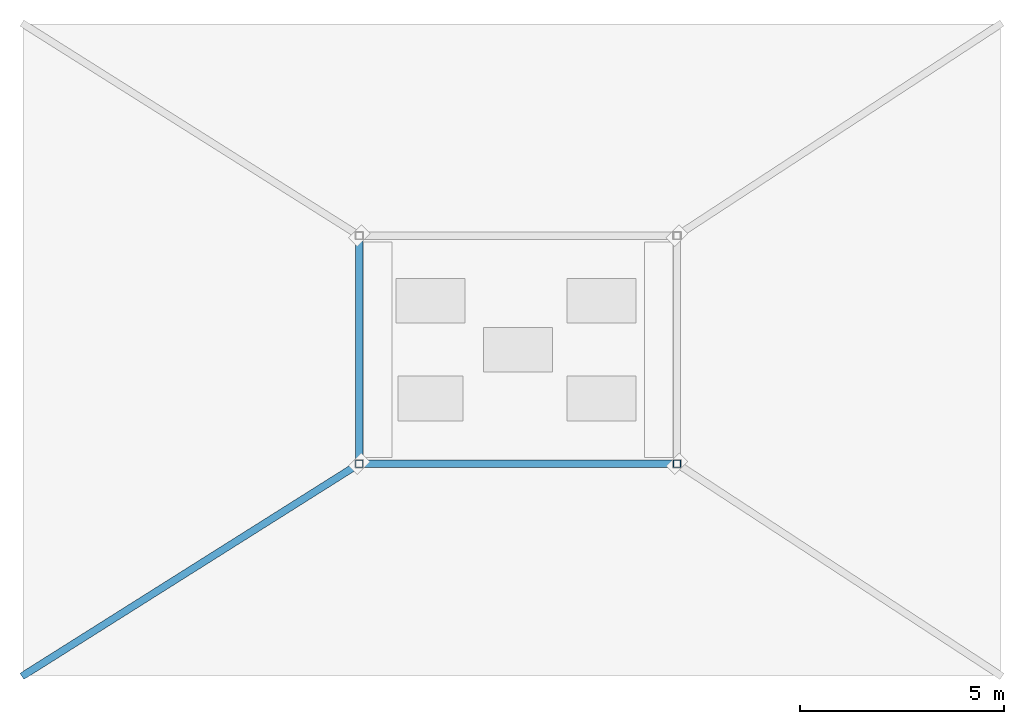
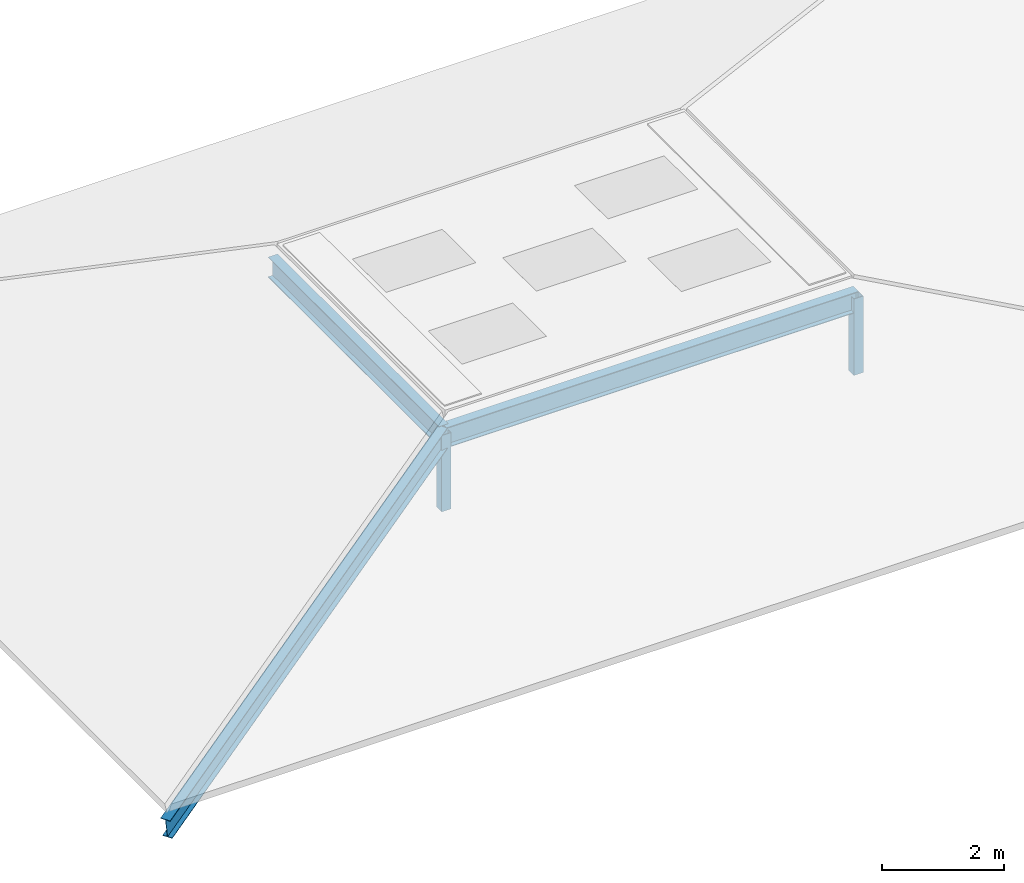
# One storey, part 1 of 5: 5 members.
"""IFC4 building model written with IfcOpenShell, lengths in metres."""

from ifc_helpers import new_model, si_unit, direction, frame, origin, origin_2d, place, context, subcontext, project, spatial, hollow_rectangle, i_section, extrude, material, material_profile, profile_set, type_object, element, save


model = new_model("IFC4")

# Units and contexts
model_context = context("Model", 3, precision=1e-05, world=origin(), true_north=direction((0.0, 1.0)))
body_context = subcontext(model_context, "Body", "Model", "MODEL_VIEW")
ifc_project = project(units=[si_unit("LENGTHUNIT", "METRE"), si_unit("AREAUNIT", "SQUARE_METRE"), si_unit("VOLUMEUNIT", "CUBIC_METRE"), si_unit("PLANEANGLEUNIT", "RADIAN"), si_unit("MASSUNIT", "GRAM", prefix="KILO")], contexts=[model_context])

# Site, building, storey
site_placement = place(None, origin())
site = spatial("IfcSite", under=ifc_project, at=site_placement, CompositionType="ELEMENT")
building_placement = place(site_placement, origin())
building = spatial("IfcBuilding", under=site, at=building_placement, Name="Celadon Cloister-Ring School", CompositionType="ELEMENT")
storey_placement = place(building_placement, frame((0.0, 0.0, 24.5)))
storey = spatial("IfcBuildingStorey", under=building, at=storey_placement, Name="RF", CompositionType="ELEMENT", Elevation=24.5)

# Members
ifc_material_1 = material(Name="Structural steel S355JR", Category="steel")
ifc_material_profile_1 = material_profile(ifc_material_1, hollow_rectangle(XDim=0.179931640625, YDim=0.179931640625, WallThickness=0.008056640625, at=origin_2d()), Name="HSS180X180X8")
ifc_profile_set_1 = profile_set([ifc_material_profile_1], Name="Structural steel S355JR")
member_type_1 = type_object("IfcMemberType", Name="MB-04", PredefinedType="BRACE", material=ifc_profile_set_1)
for number, where, z_axis, x_axis, name in (
    (1, (8.25, 45.199951171875, -0.080078125), (0.0, 0.0, 1.0), (1.0, 0.0, 0.0), "Structural Member 0608"),
    (2, (16.050048828125, 45.199951171875, -0.080078125), (0.0, 0.0, 1.0), (1.0, 0.0, 0.0), "Structural Member 0609"),
):
    element("IfcMember", number, at=place(storey_placement, frame(where, z_axis=z_axis, x_axis=x_axis)), inside=storey, type_object=member_type_1, Name=name, PredefinedType="BRACE", context=body_context, shape_type="SweptSolid", body=[
        extrude(hollow_rectangle(XDim=0.179931640625, YDim=0.179931640625, WallThickness=0.008056640625, at=origin_2d()), origin(), (0.0, 0.0, 1.0), 1.528076171875),
    ])
ifc_material_2 = material(Name="Structural steel S355JR", Category="steel")
ifc_material_profile_2 = material_profile(ifc_material_2, i_section(OverallWidth=0.177978515625, OverallDepth=0.406982421875, WebThickness=0.0078125, FlangeThickness=0.0126953125, at=origin_2d()), Name="W410X60")
ifc_profile_set_2 = profile_set([ifc_material_profile_2], Name="Structural steel S355JR")
member_type_2 = type_object("IfcMemberType", Name="MC-05", PredefinedType="CHORD", material=ifc_profile_set_2)
member_1_placement = place(storey_placement, frame((8.25, 45.199951171875, 1.367919921875), z_axis=(1.0, 0.0, 0.0), x_axis=(0.0, 1.0, 0.0)))
element("IfcMember", 3, at=member_1_placement, inside=storey, type_object=member_type_2, Name="Structural Member 0612", PredefinedType="CHORD", context=body_context, shape_type="SweptSolid", body=[
    extrude(i_section(OverallWidth=0.177978515625, OverallDepth=0.406982421875, WebThickness=0.0078125, FlangeThickness=0.0126953125, at=origin_2d()), origin(), (0.0, 0.0, 1.0), 7.800048828125),
])
member_2_placement = place(storey_placement, frame((8.25, 50.800048828125, 1.367919921875), z_axis=(0.0, -1.0, 0.0), x_axis=(1.0, 0.0, 0.0)))
element("IfcMember", 4, at=member_2_placement, inside=storey, type_object=member_type_2, Name="Structural Member 0615", PredefinedType="CHORD", context=body_context, shape_type="SweptSolid", body=[
    extrude(i_section(OverallWidth=0.177978515625, OverallDepth=0.406982421875, WebThickness=0.0078125, FlangeThickness=0.0126953125, at=origin_2d()), origin(), (0.0, 0.0, 1.0), 5.60009765625),
])
ifc_material_3 = material(Name="Structural steel S355JR", Category="steel")
ifc_material_profile_3 = material_profile(ifc_material_3, i_section(OverallWidth=0.177978515625, OverallDepth=0.406982421875, WebThickness=0.0078125, FlangeThickness=0.0126953125, at=origin_2d()), Name="W410X60")
ifc_profile_set_3 = profile_set([ifc_material_profile_3], Name="Structural steel S355JR")
member_type_3 = type_object("IfcMemberType", Name="MR-04", PredefinedType="RAFTER", material=ifc_profile_set_3)
member_3_placement = place(storey_placement, frame((0.0, 40.0, -0.451904296875), z_axis=(0.831622159303, 0.52416904507, 0.183443169254), x_axis=(-0.533217578479, 0.84597814038, 0.0)))
element("IfcMember", 5, at=member_3_placement, inside=storey, type_object=member_type_3, Name="Structural Member 0616", PredefinedType="RAFTER", context=body_context, shape_type="SweptSolid", body=[
    extrude(i_section(OverallWidth=0.177978515625, OverallDepth=0.406982421875, WebThickness=0.0078125, FlangeThickness=0.0126953125, at=origin_2d()), origin(), (0.0, 0.0, 1.0), 9.92041015625),
])

save(model, "model.ifc")
